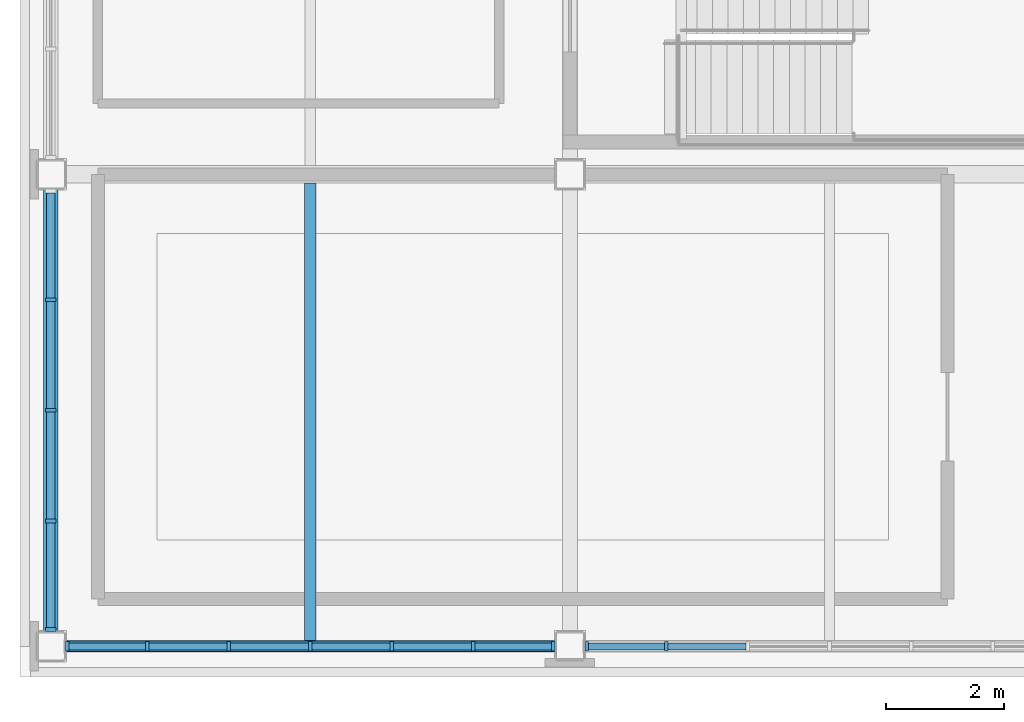
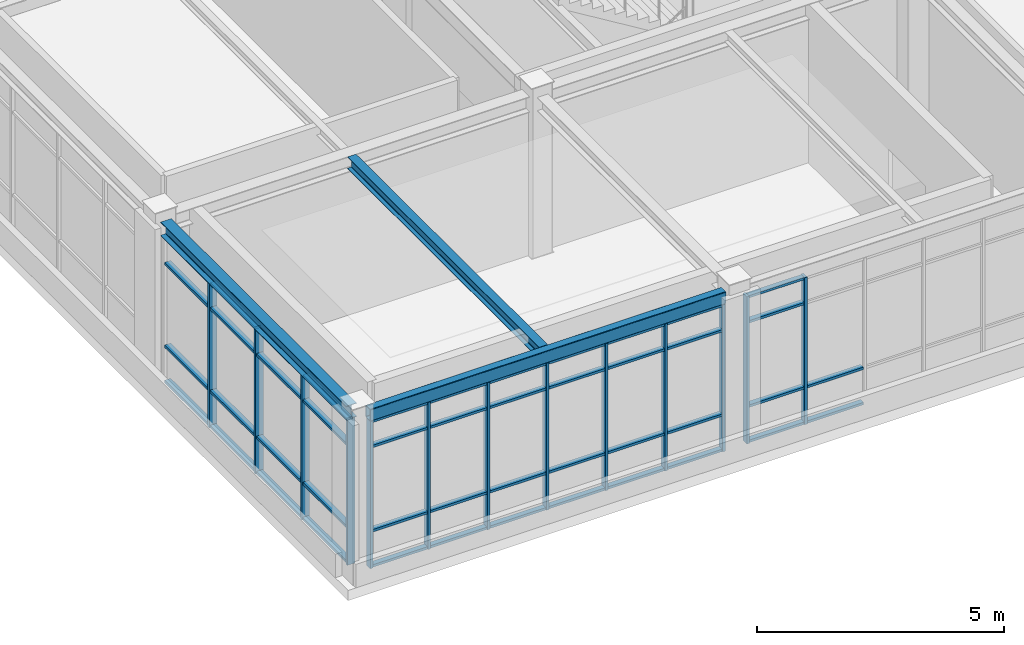
# One storey, part 4 of 45: 59 members, 3 beams, 3 elements without a shape of their own.
"""IFC4 building model written with IfcOpenShell, lengths in metres."""

from ifc_helpers import new_model, si_unit, direction, frame, origin, origin_2d, place, context, subcontext, project, spatial, rectangle, hollow_rectangle, i_section, extrude, material, material_profile, profile_set, type_object, element, aggregate, save


model = new_model("IFC4")

# Units and contexts
model_context = context("Model", 3, precision=1e-05, world=origin(), true_north=direction((0.0, 1.0)))
body_context = subcontext(model_context, "Body", "Model", "MODEL_VIEW")
ifc_project = project(units=[si_unit("LENGTHUNIT", "METRE"), si_unit("AREAUNIT", "SQUARE_METRE"), si_unit("VOLUMEUNIT", "CUBIC_METRE"), si_unit("PLANEANGLEUNIT", "RADIAN"), si_unit("MASSUNIT", "GRAM", prefix="KILO")], contexts=[model_context])

# Site, building, storey
site_placement = place(None, origin())
site = spatial("IfcSite", under=ifc_project, at=site_placement, CompositionType="ELEMENT")
building_placement = place(site_placement, origin())
building = spatial("IfcBuilding", under=site, at=building_placement, Name="Zhaolan Boulevard Law Courts", CompositionType="ELEMENT")
storey_placement = place(building_placement, frame((0.0, 0.0, 24.60009765625)))
storey = spatial("IfcBuildingStorey", under=building, at=storey_placement, Name="L05", CompositionType="ELEMENT", Elevation=24.60009765625)

# Curtain wall, members
ifc_material_1 = material(Name="Thermally broken aluminium and low-E glazing", Category="aluminium")
curtain_wall_type_1 = type_object("IfcCurtainWallType", Name="CURTAIN WALL M10", PredefinedType="USERDEFINED", material=ifc_material_1)
curtain_wall_1_placement = place(storey_placement, origin())
curtain_wall_1 = element("IfcCurtainWall", 1, at=curtain_wall_1_placement, inside=storey, type_object=curtain_wall_type_1, Name="Curtain Wall CW-L05-202", ObjectType="CURTAIN WALL", PredefinedType="USERDEFINED")
ifc_material_2 = material(Name="Fluorocarbon-coated aluminium 6063-T6", Category="aluminium")
ifc_material_profile_1 = material_profile(ifc_material_2, rectangle(XDim=0.159912109375, YDim=0.06005859375, at=origin_2d()), Name="AL60x160")
ifc_profile_set_1 = profile_set([ifc_material_profile_1], Name="Fluorocarbon-coated aluminium 6063-T6")
member_type_1 = type_object("IfcMemberType", Name="CWMULLION 60X160", PredefinedType="MULLION", material=ifc_profile_set_1)
member_1_placement = place(storey_placement, frame((0.281982421875, 30.0, 0.0), z_axis=(0.0, 0.0, 1.0), x_axis=(0.0, 1.0, 0.0)))
member_1 = element("IfcMember", 2, at=member_1_placement, type_object=member_type_1, Name="CW-L05-202 mullion 1", PredefinedType="MULLION", context=body_context, shape_type="SweptSolid", body=[
    extrude(rectangle(XDim=0.159912109375, YDim=0.06005859375, at=origin_2d()), origin(), (0.0, 0.0, 1.0), 3.6328125),
])
member_2_placement = place(storey_placement, frame((1.634765625, 30.0, 0.0), z_axis=(0.0, 0.0, 1.0), x_axis=(0.0, 1.0, 0.0)))
member_2 = element("IfcMember", 3, at=member_2_placement, type_object=member_type_1, Name="CW-L05-202 mullion 2", PredefinedType="MULLION", context=body_context, shape_type="SweptSolid", body=[
    extrude(rectangle(XDim=0.159912109375, YDim=0.06005859375, at=origin_2d()), origin(), (0.0, 0.0, 1.0), 3.6328125),
])
member_3_placement = place(storey_placement, frame((3.017333984375, 30.0, 0.0), z_axis=(0.0, 0.0, 1.0), x_axis=(0.0, 1.0, 0.0)))
member_3 = element("IfcMember", 4, at=member_3_placement, type_object=member_type_1, Name="CW-L05-202 mullion 3", PredefinedType="MULLION", context=body_context, shape_type="SweptSolid", body=[
    extrude(rectangle(XDim=0.159912109375, YDim=0.06005859375, at=origin_2d()), origin(), (0.0, 0.0, 1.0), 3.6328125),
])
member_4_placement = place(storey_placement, frame((4.39990234375, 30.0, 0.0), z_axis=(0.0, 0.0, 1.0), x_axis=(0.0, 1.0, 0.0)))
member_4 = element("IfcMember", 5, at=member_4_placement, type_object=member_type_1, Name="CW-L05-202 mullion 4", PredefinedType="MULLION", context=body_context, shape_type="SweptSolid", body=[
    extrude(rectangle(XDim=0.159912109375, YDim=0.06005859375, at=origin_2d()), origin(), (0.0, 0.0, 1.0), 3.6328125),
])
member_5_placement = place(storey_placement, frame((5.78271484375, 30.0, 0.0), z_axis=(0.0, 0.0, 1.0), x_axis=(0.0, 1.0, 0.0)))
member_5 = element("IfcMember", 6, at=member_5_placement, type_object=member_type_1, Name="CW-L05-202 mullion 5", PredefinedType="MULLION", context=body_context, shape_type="SweptSolid", body=[
    extrude(rectangle(XDim=0.159912109375, YDim=0.06005859375, at=origin_2d()), origin(), (0.0, 0.0, 1.0), 3.6328125),
])
member_6_placement = place(storey_placement, frame((7.165283203125, 30.0, 0.0), z_axis=(0.0, 0.0, 1.0), x_axis=(0.0, 1.0, 0.0)))
member_6 = element("IfcMember", 7, at=member_6_placement, type_object=member_type_1, Name="CW-L05-202 mullion 6", PredefinedType="MULLION", context=body_context, shape_type="SweptSolid", body=[
    extrude(rectangle(XDim=0.159912109375, YDim=0.06005859375, at=origin_2d()), origin(), (0.0, 0.0, 1.0), 3.6328125),
])
member_7_placement = place(storey_placement, frame((8.51806640625, 30.0, 0.0), z_axis=(0.0, 0.0, 1.0), x_axis=(0.0, 1.0, 0.0)))
member_7 = element("IfcMember", 8, at=member_7_placement, type_object=member_type_1, Name="CW-L05-202 mullion 7", PredefinedType="MULLION", context=body_context, shape_type="SweptSolid", body=[
    extrude(rectangle(XDim=0.159912109375, YDim=0.06005859375, at=origin_2d()), origin(), (0.0, 0.0, 1.0), 3.6328125),
])

ifc_material_3 = material(Name="Thermally broken aluminium and low-E glazing", Category="aluminium")
curtain_wall_type_2 = type_object("IfcCurtainWallType", Name="CURTAIN WALL M11", PredefinedType="USERDEFINED", material=ifc_material_3)
curtain_wall_2_placement = place(storey_placement, origin())
curtain_wall_2 = element("IfcCurtainWall", 9, at=curtain_wall_2_placement, inside=storey, type_object=curtain_wall_type_2, Name="Curtain Wall CW-L05-203", ObjectType="CURTAIN WALL", PredefinedType="USERDEFINED")
member_8_placement = place(storey_placement, frame((9.08203125, 30.0, 0.0), z_axis=(0.0, 0.0, 1.0), x_axis=(0.0, 1.0, 0.0)))
member_8 = element("IfcMember", 10, at=member_8_placement, type_object=member_type_1, Name="CW-L05-203 mullion 1", PredefinedType="MULLION", context=body_context, shape_type="SweptSolid", body=[
    extrude(rectangle(XDim=0.159912109375, YDim=0.06005859375, at=origin_2d()), origin(), (0.0, 0.0, 1.0), 3.6328125),
])
member_9_placement = place(storey_placement, frame((10.4345703125, 30.0, 0.0), z_axis=(0.0, 0.0, 1.0), x_axis=(0.0, 1.0, 0.0)))
member_9 = element("IfcMember", 11, at=member_9_placement, type_object=member_type_1, Name="CW-L05-203 mullion 2", PredefinedType="MULLION", context=body_context, shape_type="SweptSolid", body=[
    extrude(rectangle(XDim=0.159912109375, YDim=0.06005859375, at=origin_2d()), origin(), (0.0, 0.0, 1.0), 3.6328125),
])

ifc_material_4 = material(Name="Thermally broken aluminium and low-E glazing", Category="aluminium")
curtain_wall_type_3 = type_object("IfcCurtainWallType", Name="CURTAIN WALL M20", PredefinedType="USERDEFINED", material=ifc_material_4)
curtain_wall_3_placement = place(storey_placement, origin())
curtain_wall_3 = element("IfcCurtainWall", 12, at=curtain_wall_3_placement, inside=storey, type_object=curtain_wall_type_3, Name="Curtain Wall CW-L05-212", ObjectType="CURTAIN WALL", PredefinedType="USERDEFINED")
ifc_material_5 = material(Name="Fluorocarbon-coated aluminium 6063-T6", Category="aluminium")
ifc_material_profile_2 = material_profile(ifc_material_5, rectangle(XDim=0.179931640625, YDim=0.06494140625, at=origin_2d()), Name="AL65x180")
ifc_profile_set_2 = profile_set([ifc_material_profile_2], Name="Fluorocarbon-coated aluminium 6063-T6")
member_type_2 = type_object("IfcMemberType", Name="CWMULLION 65X180", PredefinedType="MULLION", material=ifc_profile_set_2)
member_10_placement = place(storey_placement, frame((0.0, 35.8740234375, 0.0), z_axis=(0.0, 0.0, 1.0), x_axis=(1.0, 0.0, 0.0)))
member_10 = element("IfcMember", 13, at=member_10_placement, type_object=member_type_2, Name="CW-L05-212 mullion 2", PredefinedType="MULLION", context=body_context, shape_type="SweptSolid", body=[
    extrude(rectangle(XDim=0.179931640625, YDim=0.06494140625, at=origin_2d()), origin(), (0.0, 0.0, 1.0), 3.593017578125),
])
member_11_placement = place(storey_placement, frame((0.0, 34.0, 0.0), z_axis=(0.0, 0.0, 1.0), x_axis=(1.0, 0.0, 0.0)))
member_11 = element("IfcMember", 14, at=member_11_placement, type_object=member_type_2, Name="CW-L05-212 mullion 3", PredefinedType="MULLION", context=body_context, shape_type="SweptSolid", body=[
    extrude(rectangle(XDim=0.179931640625, YDim=0.06494140625, at=origin_2d()), origin(), (0.0, 0.0, 1.0), 3.593017578125),
])
member_12_placement = place(storey_placement, frame((0.0, 32.1259765625, 0.0), z_axis=(0.0, 0.0, 1.0), x_axis=(1.0, 0.0, 0.0)))
member_12 = element("IfcMember", 15, at=member_12_placement, type_object=member_type_2, Name="CW-L05-212 mullion 4", PredefinedType="MULLION", context=body_context, shape_type="SweptSolid", body=[
    extrude(rectangle(XDim=0.179931640625, YDim=0.06494140625, at=origin_2d()), origin(), (0.0, 0.0, 1.0), 3.593017578125),
])
member_13_placement = place(storey_placement, frame((0.0, 30.284423828125, 0.0), z_axis=(0.0, 0.0, 1.0), x_axis=(1.0, 0.0, 0.0)))
member_13 = element("IfcMember", 16, at=member_13_placement, type_object=member_type_2, Name="CW-L05-212 mullion 5", PredefinedType="MULLION", context=body_context, shape_type="SweptSolid", body=[
    extrude(rectangle(XDim=0.179931640625, YDim=0.06494140625, at=origin_2d()), origin(), (0.0, 0.0, 1.0), 3.593017578125),
])

# Member
ifc_material_6 = material(Name="Fluorocarbon-coated aluminium 6063-T6", Category="aluminium")
ifc_material_profile_3 = material_profile(ifc_material_6, rectangle(XDim=0.1201171875, YDim=0.06005859375, at=origin_2d()), Name="AL60x120")
ifc_profile_set_3 = profile_set([ifc_material_profile_3], Name="Fluorocarbon-coated aluminium 6063-T6")
member_type_3 = type_object("IfcMemberType", Name="CWTRANSOM 60X120", PredefinedType="USERDEFINED", material=ifc_profile_set_3)
member_14_placement = place(storey_placement, frame((0.31201171875, 30.0, 0.02978515625), z_axis=(1.0, 0.0, 0.0), x_axis=(0.0, 1.0, 0.0)))
member_14 = element("IfcMember", 17, at=member_14_placement, type_object=member_type_3, Name="CW-L05-202 transom 1.1", ObjectType="TRANSOM", PredefinedType="USERDEFINED", context=body_context, shape_type="SweptSolid", body=[
    extrude(rectangle(XDim=0.1201171875, YDim=0.06005859375, at=origin_2d()), origin(), (0.0, 0.0, 1.0), 1.292724609375),
])

member_15_placement = place(storey_placement, frame((0.31201171875, 30.0, 0.89990234375), z_axis=(1.0, 0.0, 0.0), x_axis=(0.0, 1.0, 0.0)))
member_15 = element("IfcMember", 18, at=member_15_placement, type_object=member_type_3, Name="CW-L05-202 transom 1.2", ObjectType="TRANSOM", PredefinedType="USERDEFINED", context=body_context, shape_type="SweptSolid", body=[
    extrude(rectangle(XDim=0.1201171875, YDim=0.06005859375, at=origin_2d()), origin(), (0.0, 0.0, 1.0), 1.292724609375),
])

member_16_placement = place(storey_placement, frame((0.31201171875, 30.0, 2.98291015625), z_axis=(1.0, 0.0, 0.0), x_axis=(0.0, 1.0, 0.0)))
member_16 = element("IfcMember", 19, at=member_16_placement, type_object=member_type_3, Name="CW-L05-202 transom 1.3", ObjectType="TRANSOM", PredefinedType="USERDEFINED", context=body_context, shape_type="SweptSolid", body=[
    extrude(rectangle(XDim=0.1201171875, YDim=0.06005859375, at=origin_2d()), origin(), (0.0, 0.0, 1.0), 1.292724609375),
])

member_17_placement = place(storey_placement, frame((0.31201171875, 30.0, 3.602783203125), z_axis=(1.0, 0.0, 0.0), x_axis=(0.0, 1.0, 0.0)))
member_17 = element("IfcMember", 20, at=member_17_placement, type_object=member_type_3, Name="CW-L05-202 transom 1.4", ObjectType="TRANSOM", PredefinedType="USERDEFINED", context=body_context, shape_type="SweptSolid", body=[
    extrude(rectangle(XDim=0.1201171875, YDim=0.06005859375, at=origin_2d()), origin(), (0.0, 0.0, 1.0), 1.292724609375),
])

member_18_placement = place(storey_placement, frame((1.66455078125, 30.0, 0.02978515625), z_axis=(1.0, 0.0, 0.0), x_axis=(0.0, 1.0, 0.0)))
member_18 = element("IfcMember", 21, at=member_18_placement, type_object=member_type_3, Name="CW-L05-202 transom 2.1", ObjectType="TRANSOM", PredefinedType="USERDEFINED", context=body_context, shape_type="SweptSolid", body=[
    extrude(rectangle(XDim=0.1201171875, YDim=0.06005859375, at=origin_2d()), origin(), (0.0, 0.0, 1.0), 1.32275390625),
])

member_19_placement = place(storey_placement, frame((1.66455078125, 30.0, 0.89990234375), z_axis=(1.0, 0.0, 0.0), x_axis=(0.0, 1.0, 0.0)))
member_19 = element("IfcMember", 22, at=member_19_placement, type_object=member_type_3, Name="CW-L05-202 transom 2.2", ObjectType="TRANSOM", PredefinedType="USERDEFINED", context=body_context, shape_type="SweptSolid", body=[
    extrude(rectangle(XDim=0.1201171875, YDim=0.06005859375, at=origin_2d()), origin(), (0.0, 0.0, 1.0), 1.32275390625),
])

member_20_placement = place(storey_placement, frame((1.66455078125, 30.0, 2.98291015625), z_axis=(1.0, 0.0, 0.0), x_axis=(0.0, 1.0, 0.0)))
member_20 = element("IfcMember", 23, at=member_20_placement, type_object=member_type_3, Name="CW-L05-202 transom 2.3", ObjectType="TRANSOM", PredefinedType="USERDEFINED", context=body_context, shape_type="SweptSolid", body=[
    extrude(rectangle(XDim=0.1201171875, YDim=0.06005859375, at=origin_2d()), origin(), (0.0, 0.0, 1.0), 1.32275390625),
])

member_21_placement = place(storey_placement, frame((1.66455078125, 30.0, 3.602783203125), z_axis=(1.0, 0.0, 0.0), x_axis=(0.0, 1.0, 0.0)))
member_21 = element("IfcMember", 24, at=member_21_placement, type_object=member_type_3, Name="CW-L05-202 transom 2.4", ObjectType="TRANSOM", PredefinedType="USERDEFINED", context=body_context, shape_type="SweptSolid", body=[
    extrude(rectangle(XDim=0.1201171875, YDim=0.06005859375, at=origin_2d()), origin(), (0.0, 0.0, 1.0), 1.32275390625),
])

member_22_placement = place(storey_placement, frame((3.04736328125, 30.0, 0.02978515625), z_axis=(1.0, 0.0, 0.0), x_axis=(0.0, 1.0, 0.0)))
member_22 = element("IfcMember", 25, at=member_22_placement, type_object=member_type_3, Name="CW-L05-202 transom 3.1", ObjectType="TRANSOM", PredefinedType="USERDEFINED", context=body_context, shape_type="SweptSolid", body=[
    extrude(rectangle(XDim=0.1201171875, YDim=0.06005859375, at=origin_2d()), origin(), (0.0, 0.0, 1.0), 1.32275390625),
])

member_23_placement = place(storey_placement, frame((3.04736328125, 30.0, 0.89990234375), z_axis=(1.0, 0.0, 0.0), x_axis=(0.0, 1.0, 0.0)))
member_23 = element("IfcMember", 26, at=member_23_placement, type_object=member_type_3, Name="CW-L05-202 transom 3.2", ObjectType="TRANSOM", PredefinedType="USERDEFINED", context=body_context, shape_type="SweptSolid", body=[
    extrude(rectangle(XDim=0.1201171875, YDim=0.06005859375, at=origin_2d()), origin(), (0.0, 0.0, 1.0), 1.32275390625),
])

member_24_placement = place(storey_placement, frame((3.04736328125, 30.0, 2.98291015625), z_axis=(1.0, 0.0, 0.0), x_axis=(0.0, 1.0, 0.0)))
member_24 = element("IfcMember", 27, at=member_24_placement, type_object=member_type_3, Name="CW-L05-202 transom 3.3", ObjectType="TRANSOM", PredefinedType="USERDEFINED", context=body_context, shape_type="SweptSolid", body=[
    extrude(rectangle(XDim=0.1201171875, YDim=0.06005859375, at=origin_2d()), origin(), (0.0, 0.0, 1.0), 1.32275390625),
])

member_25_placement = place(storey_placement, frame((3.04736328125, 30.0, 3.602783203125), z_axis=(1.0, 0.0, 0.0), x_axis=(0.0, 1.0, 0.0)))
member_25 = element("IfcMember", 28, at=member_25_placement, type_object=member_type_3, Name="CW-L05-202 transom 3.4", ObjectType="TRANSOM", PredefinedType="USERDEFINED", context=body_context, shape_type="SweptSolid", body=[
    extrude(rectangle(XDim=0.1201171875, YDim=0.06005859375, at=origin_2d()), origin(), (0.0, 0.0, 1.0), 1.32275390625),
])

member_26_placement = place(storey_placement, frame((4.429931640625, 30.0, 0.02978515625), z_axis=(1.0, 0.0, 0.0), x_axis=(0.0, 1.0, 0.0)))
member_26 = element("IfcMember", 29, at=member_26_placement, type_object=member_type_3, Name="CW-L05-202 transom 4.1", ObjectType="TRANSOM", PredefinedType="USERDEFINED", context=body_context, shape_type="SweptSolid", body=[
    extrude(rectangle(XDim=0.1201171875, YDim=0.06005859375, at=origin_2d()), origin(), (0.0, 0.0, 1.0), 1.32275390625),
])

member_27_placement = place(storey_placement, frame((4.429931640625, 30.0, 0.89990234375), z_axis=(1.0, 0.0, 0.0), x_axis=(0.0, 1.0, 0.0)))
member_27 = element("IfcMember", 30, at=member_27_placement, type_object=member_type_3, Name="CW-L05-202 transom 4.2", ObjectType="TRANSOM", PredefinedType="USERDEFINED", context=body_context, shape_type="SweptSolid", body=[
    extrude(rectangle(XDim=0.1201171875, YDim=0.06005859375, at=origin_2d()), origin(), (0.0, 0.0, 1.0), 1.32275390625),
])

member_28_placement = place(storey_placement, frame((4.429931640625, 30.0, 2.98291015625), z_axis=(1.0, 0.0, 0.0), x_axis=(0.0, 1.0, 0.0)))
member_28 = element("IfcMember", 31, at=member_28_placement, type_object=member_type_3, Name="CW-L05-202 transom 4.3", ObjectType="TRANSOM", PredefinedType="USERDEFINED", context=body_context, shape_type="SweptSolid", body=[
    extrude(rectangle(XDim=0.1201171875, YDim=0.06005859375, at=origin_2d()), origin(), (0.0, 0.0, 1.0), 1.32275390625),
])

member_29_placement = place(storey_placement, frame((4.429931640625, 30.0, 3.602783203125), z_axis=(1.0, 0.0, 0.0), x_axis=(0.0, 1.0, 0.0)))
member_29 = element("IfcMember", 32, at=member_29_placement, type_object=member_type_3, Name="CW-L05-202 transom 4.4", ObjectType="TRANSOM", PredefinedType="USERDEFINED", context=body_context, shape_type="SweptSolid", body=[
    extrude(rectangle(XDim=0.1201171875, YDim=0.06005859375, at=origin_2d()), origin(), (0.0, 0.0, 1.0), 1.32275390625),
])

member_30_placement = place(storey_placement, frame((5.812744140625, 30.0, 0.02978515625), z_axis=(1.0, 0.0, 0.0), x_axis=(0.0, 1.0, 0.0)))
member_30 = element("IfcMember", 33, at=member_30_placement, type_object=member_type_3, Name="CW-L05-202 transom 5.1", ObjectType="TRANSOM", PredefinedType="USERDEFINED", context=body_context, shape_type="SweptSolid", body=[
    extrude(rectangle(XDim=0.1201171875, YDim=0.06005859375, at=origin_2d()), origin(), (0.0, 0.0, 1.0), 1.322509765625),
])

member_31_placement = place(storey_placement, frame((5.812744140625, 30.0, 0.89990234375), z_axis=(1.0, 0.0, 0.0), x_axis=(0.0, 1.0, 0.0)))
member_31 = element("IfcMember", 34, at=member_31_placement, type_object=member_type_3, Name="CW-L05-202 transom 5.2", ObjectType="TRANSOM", PredefinedType="USERDEFINED", context=body_context, shape_type="SweptSolid", body=[
    extrude(rectangle(XDim=0.1201171875, YDim=0.06005859375, at=origin_2d()), origin(), (0.0, 0.0, 1.0), 1.322509765625),
])

member_32_placement = place(storey_placement, frame((5.812744140625, 30.0, 2.98291015625), z_axis=(1.0, 0.0, 0.0), x_axis=(0.0, 1.0, 0.0)))
member_32 = element("IfcMember", 35, at=member_32_placement, type_object=member_type_3, Name="CW-L05-202 transom 5.3", ObjectType="TRANSOM", PredefinedType="USERDEFINED", context=body_context, shape_type="SweptSolid", body=[
    extrude(rectangle(XDim=0.1201171875, YDim=0.06005859375, at=origin_2d()), origin(), (0.0, 0.0, 1.0), 1.322509765625),
])

member_33_placement = place(storey_placement, frame((5.812744140625, 30.0, 3.602783203125), z_axis=(1.0, 0.0, 0.0), x_axis=(0.0, 1.0, 0.0)))
member_33 = element("IfcMember", 36, at=member_33_placement, type_object=member_type_3, Name="CW-L05-202 transom 5.4", ObjectType="TRANSOM", PredefinedType="USERDEFINED", context=body_context, shape_type="SweptSolid", body=[
    extrude(rectangle(XDim=0.1201171875, YDim=0.06005859375, at=origin_2d()), origin(), (0.0, 0.0, 1.0), 1.322509765625),
])

member_34_placement = place(storey_placement, frame((7.1953125, 30.0, 0.02978515625), z_axis=(1.0, 0.0, 0.0), x_axis=(0.0, 1.0, 0.0)))
member_34 = element("IfcMember", 37, at=member_34_placement, type_object=member_type_3, Name="CW-L05-202 transom 6.1", ObjectType="TRANSOM", PredefinedType="USERDEFINED", context=body_context, shape_type="SweptSolid", body=[
    extrude(rectangle(XDim=0.1201171875, YDim=0.06005859375, at=origin_2d()), origin(), (0.0, 0.0, 1.0), 1.292724609375),
])

member_35_placement = place(storey_placement, frame((7.1953125, 30.0, 0.89990234375), z_axis=(1.0, 0.0, 0.0), x_axis=(0.0, 1.0, 0.0)))
member_35 = element("IfcMember", 38, at=member_35_placement, type_object=member_type_3, Name="CW-L05-202 transom 6.2", ObjectType="TRANSOM", PredefinedType="USERDEFINED", context=body_context, shape_type="SweptSolid", body=[
    extrude(rectangle(XDim=0.1201171875, YDim=0.06005859375, at=origin_2d()), origin(), (0.0, 0.0, 1.0), 1.292724609375),
])

member_36_placement = place(storey_placement, frame((7.1953125, 30.0, 2.98291015625), z_axis=(1.0, 0.0, 0.0), x_axis=(0.0, 1.0, 0.0)))
member_36 = element("IfcMember", 39, at=member_36_placement, type_object=member_type_3, Name="CW-L05-202 transom 6.3", ObjectType="TRANSOM", PredefinedType="USERDEFINED", context=body_context, shape_type="SweptSolid", body=[
    extrude(rectangle(XDim=0.1201171875, YDim=0.06005859375, at=origin_2d()), origin(), (0.0, 0.0, 1.0), 1.292724609375),
])

member_37_placement = place(storey_placement, frame((7.1953125, 30.0, 3.602783203125), z_axis=(1.0, 0.0, 0.0), x_axis=(0.0, 1.0, 0.0)))
member_37 = element("IfcMember", 40, at=member_37_placement, type_object=member_type_3, Name="CW-L05-202 transom 6.4", ObjectType="TRANSOM", PredefinedType="USERDEFINED", context=body_context, shape_type="SweptSolid", body=[
    extrude(rectangle(XDim=0.1201171875, YDim=0.06005859375, at=origin_2d()), origin(), (0.0, 0.0, 1.0), 1.292724609375),
])

aggregate(curtain_wall_1, [member_1, member_2, member_3, member_4, member_5, member_6, member_7, member_14, member_15, member_16, member_17, member_18, member_19, member_20, member_21, member_22, member_23, member_24, member_25, member_26, member_27, member_28, member_29, member_30, member_31, member_32, member_33, member_34, member_35, member_36, member_37])

member_38_placement = place(storey_placement, frame((9.112060546875, 30.0, 0.02978515625), z_axis=(1.0, 0.0, 0.0), x_axis=(0.0, 1.0, 0.0)))
member_38 = element("IfcMember", 41, at=member_38_placement, type_object=member_type_3, Name="CW-L05-203 transom 1.1", ObjectType="TRANSOM", PredefinedType="USERDEFINED", context=body_context, shape_type="SweptSolid", body=[
    extrude(rectangle(XDim=0.1201171875, YDim=0.06005859375, at=origin_2d()), origin(), (0.0, 0.0, 1.0), 1.292724609375),
])

member_39_placement = place(storey_placement, frame((9.112060546875, 30.0, 0.89990234375), z_axis=(1.0, 0.0, 0.0), x_axis=(0.0, 1.0, 0.0)))
member_39 = element("IfcMember", 42, at=member_39_placement, type_object=member_type_3, Name="CW-L05-203 transom 1.2", ObjectType="TRANSOM", PredefinedType="USERDEFINED", context=body_context, shape_type="SweptSolid", body=[
    extrude(rectangle(XDim=0.1201171875, YDim=0.06005859375, at=origin_2d()), origin(), (0.0, 0.0, 1.0), 1.292724609375),
])

member_40_placement = place(storey_placement, frame((9.112060546875, 30.0, 2.98291015625), z_axis=(1.0, 0.0, 0.0), x_axis=(0.0, 1.0, 0.0)))
member_40 = element("IfcMember", 43, at=member_40_placement, type_object=member_type_3, Name="CW-L05-203 transom 1.3", ObjectType="TRANSOM", PredefinedType="USERDEFINED", context=body_context, shape_type="SweptSolid", body=[
    extrude(rectangle(XDim=0.1201171875, YDim=0.06005859375, at=origin_2d()), origin(), (0.0, 0.0, 1.0), 1.292724609375),
])

member_41_placement = place(storey_placement, frame((9.112060546875, 30.0, 3.602783203125), z_axis=(1.0, 0.0, 0.0), x_axis=(0.0, 1.0, 0.0)))
member_41 = element("IfcMember", 44, at=member_41_placement, type_object=member_type_3, Name="CW-L05-203 transom 1.4", ObjectType="TRANSOM", PredefinedType="USERDEFINED", context=body_context, shape_type="SweptSolid", body=[
    extrude(rectangle(XDim=0.1201171875, YDim=0.06005859375, at=origin_2d()), origin(), (0.0, 0.0, 1.0), 1.292724609375),
])

member_42_placement = place(storey_placement, frame((10.464599609375, 30.0, 0.02978515625), z_axis=(1.0, 0.0, 0.0), x_axis=(0.0, 1.0, 0.0)))
member_42 = element("IfcMember", 45, at=member_42_placement, type_object=member_type_3, Name="CW-L05-203 transom 2.1", ObjectType="TRANSOM", PredefinedType="USERDEFINED", context=body_context, shape_type="SweptSolid", body=[
    extrude(rectangle(XDim=0.1201171875, YDim=0.06005859375, at=origin_2d()), origin(), (0.0, 0.0, 1.0), 1.32275390625),
])

member_43_placement = place(storey_placement, frame((10.464599609375, 30.0, 0.89990234375), z_axis=(1.0, 0.0, 0.0), x_axis=(0.0, 1.0, 0.0)))
member_43 = element("IfcMember", 46, at=member_43_placement, type_object=member_type_3, Name="CW-L05-203 transom 2.2", ObjectType="TRANSOM", PredefinedType="USERDEFINED", context=body_context, shape_type="SweptSolid", body=[
    extrude(rectangle(XDim=0.1201171875, YDim=0.06005859375, at=origin_2d()), origin(), (0.0, 0.0, 1.0), 1.32275390625),
])

aggregate(curtain_wall_2, [member_8, member_9, member_38, member_39, member_40, member_41, member_42, member_43])

ifc_material_7 = material(Name="Fluorocarbon-coated aluminium 6063-T6", Category="aluminium")
ifc_material_profile_4 = material_profile(ifc_material_7, rectangle(XDim=0.139892578125, YDim=0.06494140625, at=origin_2d()), Name="AL65x140")
ifc_profile_set_4 = profile_set([ifc_material_profile_4], Name="Fluorocarbon-coated aluminium 6063-T6")
member_type_4 = type_object("IfcMemberType", Name="CWTRANSOM 65X140", PredefinedType="USERDEFINED", material=ifc_profile_set_4)
member_44_placement = place(storey_placement, frame((0.0, 37.68310546875, 0.032470703125), z_axis=(0.0, -1.0, 0.0), x_axis=(1.0, 0.0, 0.0)))
member_44 = element("IfcMember", 47, at=member_44_placement, type_object=member_type_4, Name="CW-L05-212 transom 1.1", ObjectType="TRANSOM", PredefinedType="USERDEFINED", context=body_context, shape_type="SweptSolid", body=[
    extrude(rectangle(XDim=0.139892578125, YDim=0.06494140625, at=origin_2d()), origin(), (0.0, 0.0, 1.0), 1.776611328125),
])

member_45_placement = place(storey_placement, frame((0.0, 37.68310546875, 0.89990234375), z_axis=(0.0, -1.0, 0.0), x_axis=(1.0, 0.0, 0.0)))
member_45 = element("IfcMember", 48, at=member_45_placement, type_object=member_type_4, Name="CW-L05-212 transom 1.2", ObjectType="TRANSOM", PredefinedType="USERDEFINED", context=body_context, shape_type="SweptSolid", body=[
    extrude(rectangle(XDim=0.139892578125, YDim=0.06494140625, at=origin_2d()), origin(), (0.0, 0.0, 1.0), 1.776611328125),
])

member_46_placement = place(storey_placement, frame((0.0, 37.68310546875, 2.94287109375), z_axis=(0.0, -1.0, 0.0), x_axis=(1.0, 0.0, 0.0)))
member_46 = element("IfcMember", 49, at=member_46_placement, type_object=member_type_4, Name="CW-L05-212 transom 1.3", ObjectType="TRANSOM", PredefinedType="USERDEFINED", context=body_context, shape_type="SweptSolid", body=[
    extrude(rectangle(XDim=0.139892578125, YDim=0.06494140625, at=origin_2d()), origin(), (0.0, 0.0, 1.0), 1.776611328125),
])

member_47_placement = place(storey_placement, frame((0.0, 37.68310546875, 3.560302734375), z_axis=(0.0, -1.0, 0.0), x_axis=(1.0, 0.0, 0.0)))
member_47 = element("IfcMember", 50, at=member_47_placement, type_object=member_type_4, Name="CW-L05-212 transom 1.4", ObjectType="TRANSOM", PredefinedType="USERDEFINED", context=body_context, shape_type="SweptSolid", body=[
    extrude(rectangle(XDim=0.139892578125, YDim=0.06494140625, at=origin_2d()), origin(), (0.0, 0.0, 1.0), 1.776611328125),
])

member_48_placement = place(storey_placement, frame((0.0, 35.841552734375, 0.032470703125), z_axis=(0.0, -1.0, 0.0), x_axis=(1.0, 0.0, 0.0)))
member_48 = element("IfcMember", 51, at=member_48_placement, type_object=member_type_4, Name="CW-L05-212 transom 2.1", ObjectType="TRANSOM", PredefinedType="USERDEFINED", context=body_context, shape_type="SweptSolid", body=[
    extrude(rectangle(XDim=0.139892578125, YDim=0.06494140625, at=origin_2d()), origin(), (0.0, 0.0, 1.0), 1.80908203125),
])

member_49_placement = place(storey_placement, frame((0.0, 35.841552734375, 0.89990234375), z_axis=(0.0, -1.0, 0.0), x_axis=(1.0, 0.0, 0.0)))
member_49 = element("IfcMember", 52, at=member_49_placement, type_object=member_type_4, Name="CW-L05-212 transom 2.2", ObjectType="TRANSOM", PredefinedType="USERDEFINED", context=body_context, shape_type="SweptSolid", body=[
    extrude(rectangle(XDim=0.139892578125, YDim=0.06494140625, at=origin_2d()), origin(), (0.0, 0.0, 1.0), 1.80908203125),
])

member_50_placement = place(storey_placement, frame((0.0, 35.841552734375, 2.94287109375), z_axis=(0.0, -1.0, 0.0), x_axis=(1.0, 0.0, 0.0)))
member_50 = element("IfcMember", 53, at=member_50_placement, type_object=member_type_4, Name="CW-L05-212 transom 2.3", ObjectType="TRANSOM", PredefinedType="USERDEFINED", context=body_context, shape_type="SweptSolid", body=[
    extrude(rectangle(XDim=0.139892578125, YDim=0.06494140625, at=origin_2d()), origin(), (0.0, 0.0, 1.0), 1.80908203125),
])

member_51_placement = place(storey_placement, frame((0.0, 35.841552734375, 3.560302734375), z_axis=(0.0, -1.0, 0.0), x_axis=(1.0, 0.0, 0.0)))
member_51 = element("IfcMember", 54, at=member_51_placement, type_object=member_type_4, Name="CW-L05-212 transom 2.4", ObjectType="TRANSOM", PredefinedType="USERDEFINED", context=body_context, shape_type="SweptSolid", body=[
    extrude(rectangle(XDim=0.139892578125, YDim=0.06494140625, at=origin_2d()), origin(), (0.0, 0.0, 1.0), 1.80908203125),
])

member_52_placement = place(storey_placement, frame((0.0, 33.967529296875, 0.032470703125), z_axis=(0.0, -1.0, 0.0), x_axis=(1.0, 0.0, 0.0)))
member_52 = element("IfcMember", 55, at=member_52_placement, type_object=member_type_4, Name="CW-L05-212 transom 3.1", ObjectType="TRANSOM", PredefinedType="USERDEFINED", context=body_context, shape_type="SweptSolid", body=[
    extrude(rectangle(XDim=0.139892578125, YDim=0.06494140625, at=origin_2d()), origin(), (0.0, 0.0, 1.0), 1.80908203125),
])

member_53_placement = place(storey_placement, frame((0.0, 33.967529296875, 0.89990234375), z_axis=(0.0, -1.0, 0.0), x_axis=(1.0, 0.0, 0.0)))
member_53 = element("IfcMember", 56, at=member_53_placement, type_object=member_type_4, Name="CW-L05-212 transom 3.2", ObjectType="TRANSOM", PredefinedType="USERDEFINED", context=body_context, shape_type="SweptSolid", body=[
    extrude(rectangle(XDim=0.139892578125, YDim=0.06494140625, at=origin_2d()), origin(), (0.0, 0.0, 1.0), 1.80908203125),
])

member_54_placement = place(storey_placement, frame((0.0, 33.967529296875, 2.94287109375), z_axis=(0.0, -1.0, 0.0), x_axis=(1.0, 0.0, 0.0)))
member_54 = element("IfcMember", 57, at=member_54_placement, type_object=member_type_4, Name="CW-L05-212 transom 3.3", ObjectType="TRANSOM", PredefinedType="USERDEFINED", context=body_context, shape_type="SweptSolid", body=[
    extrude(rectangle(XDim=0.139892578125, YDim=0.06494140625, at=origin_2d()), origin(), (0.0, 0.0, 1.0), 1.80908203125),
])

member_55_placement = place(storey_placement, frame((0.0, 33.967529296875, 3.560302734375), z_axis=(0.0, -1.0, 0.0), x_axis=(1.0, 0.0, 0.0)))
member_55 = element("IfcMember", 58, at=member_55_placement, type_object=member_type_4, Name="CW-L05-212 transom 3.4", ObjectType="TRANSOM", PredefinedType="USERDEFINED", context=body_context, shape_type="SweptSolid", body=[
    extrude(rectangle(XDim=0.139892578125, YDim=0.06494140625, at=origin_2d()), origin(), (0.0, 0.0, 1.0), 1.80908203125),
])

member_56_placement = place(storey_placement, frame((0.0, 32.093505859375, 0.032470703125), z_axis=(0.0, -1.0, 0.0), x_axis=(1.0, 0.0, 0.0)))
member_56 = element("IfcMember", 59, at=member_56_placement, type_object=member_type_4, Name="CW-L05-212 transom 4.1", ObjectType="TRANSOM", PredefinedType="USERDEFINED", context=body_context, shape_type="SweptSolid", body=[
    extrude(rectangle(XDim=0.139892578125, YDim=0.06494140625, at=origin_2d()), origin(), (0.0, 0.0, 1.0), 1.776611328125),
])

member_57_placement = place(storey_placement, frame((0.0, 32.093505859375, 0.89990234375), z_axis=(0.0, -1.0, 0.0), x_axis=(1.0, 0.0, 0.0)))
member_57 = element("IfcMember", 60, at=member_57_placement, type_object=member_type_4, Name="CW-L05-212 transom 4.2", ObjectType="TRANSOM", PredefinedType="USERDEFINED", context=body_context, shape_type="SweptSolid", body=[
    extrude(rectangle(XDim=0.139892578125, YDim=0.06494140625, at=origin_2d()), origin(), (0.0, 0.0, 1.0), 1.776611328125),
])

member_58_placement = place(storey_placement, frame((0.0, 32.093505859375, 2.94287109375), z_axis=(0.0, -1.0, 0.0), x_axis=(1.0, 0.0, 0.0)))
member_58 = element("IfcMember", 61, at=member_58_placement, type_object=member_type_4, Name="CW-L05-212 transom 4.3", ObjectType="TRANSOM", PredefinedType="USERDEFINED", context=body_context, shape_type="SweptSolid", body=[
    extrude(rectangle(XDim=0.139892578125, YDim=0.06494140625, at=origin_2d()), origin(), (0.0, 0.0, 1.0), 1.776611328125),
])

member_59_placement = place(storey_placement, frame((0.0, 32.093505859375, 3.560302734375), z_axis=(0.0, -1.0, 0.0), x_axis=(1.0, 0.0, 0.0)))
member_59 = element("IfcMember", 62, at=member_59_placement, type_object=member_type_4, Name="CW-L05-212 transom 4.4", ObjectType="TRANSOM", PredefinedType="USERDEFINED", context=body_context, shape_type="SweptSolid", body=[
    extrude(rectangle(XDim=0.139892578125, YDim=0.06494140625, at=origin_2d()), origin(), (0.0, 0.0, 1.0), 1.776611328125),
])

aggregate(curtain_wall_3, [member_10, member_11, member_12, member_13, member_44, member_45, member_46, member_47, member_48, member_49, member_50, member_51, member_52, member_53, member_54, member_55, member_56, member_57, member_58, member_59])

# Beams
ifc_material_8 = material(Name="Structural steel Q355B", Category="steel")
ifc_material_profile_5 = material_profile(ifc_material_8, i_section(OverallWidth=0.25, OverallDepth=0.340087890625, WebThickness=0.009033203125, FlangeThickness=0.013916015625, FilletRadius=0.01611328125, at=origin_2d()), Name="HM340x250")
ifc_profile_set_5 = profile_set([ifc_material_profile_5], Name="Structural steel Q355B")
beam_type_1 = type_object("IfcBeamType", Name="GIRDER HM340", PredefinedType="BEAM", material=ifc_profile_set_5)
beam_1_placement = place(storey_placement, frame((0.0, 30.24609375, 3.77783203125), z_axis=(0.0, 1.0, 0.0), x_axis=(-1.0, 0.0, 0.0)))
element("IfcBeam", 63, at=beam_1_placement, inside=storey, type_object=beam_type_1, Name="Beam BY-L06-1-E-F", PredefinedType="BEAM", context=body_context, shape_type="SweptSolid", body=[
    extrude(i_section(OverallWidth=0.25, OverallDepth=0.340087890625, WebThickness=0.009033203125, FlangeThickness=0.013916015625, FilletRadius=0.01611328125, at=origin_2d()), origin(), (0.0, 0.0, 1.0), 7.5078125),
])
ifc_material_9 = material(Name="Structural steel Q355B", Category="steel")
ifc_material_profile_6 = material_profile(ifc_material_9, i_section(OverallWidth=0.199951171875, OverallDepth=0.2939453125, WebThickness=0.008056640625, FlangeThickness=0.011962890625, FilletRadius=0.01611328125, at=origin_2d()), Name="HM294x200")
ifc_profile_set_6 = profile_set([ifc_material_profile_6], Name="Structural steel Q355B")
beam_type_2 = type_object("IfcBeamType", Name="JOIST HM294", PredefinedType="JOIST", material=ifc_profile_set_6)
beam_2_placement = place(storey_placement, frame((4.39990234375, 30.095947265625, 3.80078125), z_axis=(0.0, 1.0, 0.0), x_axis=(-1.0, 0.0, 0.0)))
element("IfcBeam", 64, at=beam_2_placement, inside=storey, type_object=beam_type_2, Name="Composite Joist J-L06-1E", PredefinedType="JOIST", context=body_context, shape_type="SweptSolid", body=[
    extrude(i_section(OverallWidth=0.199951171875, OverallDepth=0.2939453125, WebThickness=0.008056640625, FlangeThickness=0.011962890625, FilletRadius=0.01611328125, at=origin_2d()), origin(), (0.0, 0.0, 1.0), 7.758056640625),
])
ifc_material_10 = material(Name="Structural steel Q355B", Category="steel")
ifc_material_profile_7 = material_profile(ifc_material_10, hollow_rectangle(XDim=0.199951171875, YDim=0.300048828125, WallThickness=0.011962890625, InnerFilletRadius=0.011962890625, OuterFilletRadius=0.02392578125, at=origin_2d()), Name="HSS300x200x12")
ifc_profile_set_7 = profile_set([ifc_material_profile_7], Name="Structural steel Q355B")
beam_type_3 = type_object("IfcBeamType", Name="SPANDREL HSS300", PredefinedType="SPANDREL", material=ifc_profile_set_7)
beam_3_placement = place(storey_placement, frame((0.24609375, 30.0, 3.7978515625), z_axis=(1.0, 0.0, 0.0), x_axis=(0.0, 1.0, 0.0)))
element("IfcBeam", 65, at=beam_3_placement, inside=storey, type_object=beam_type_3, Name="Beam BX-L06-1-2-E", PredefinedType="SPANDREL", context=body_context, shape_type="SweptSolid", body=[
    extrude(hollow_rectangle(XDim=0.199951171875, YDim=0.300048828125, WallThickness=0.011962890625, InnerFilletRadius=0.011962890625, OuterFilletRadius=0.02392578125, at=origin_2d()), origin(), (0.0, 0.0, 1.0), 8.307861328125),
])

save(model, "model.ifc")
